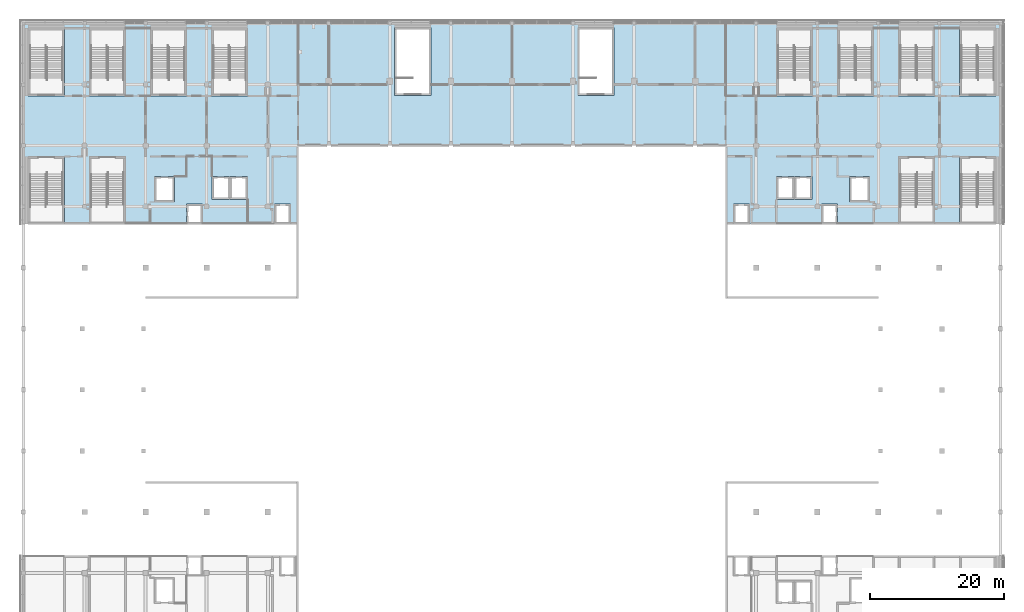
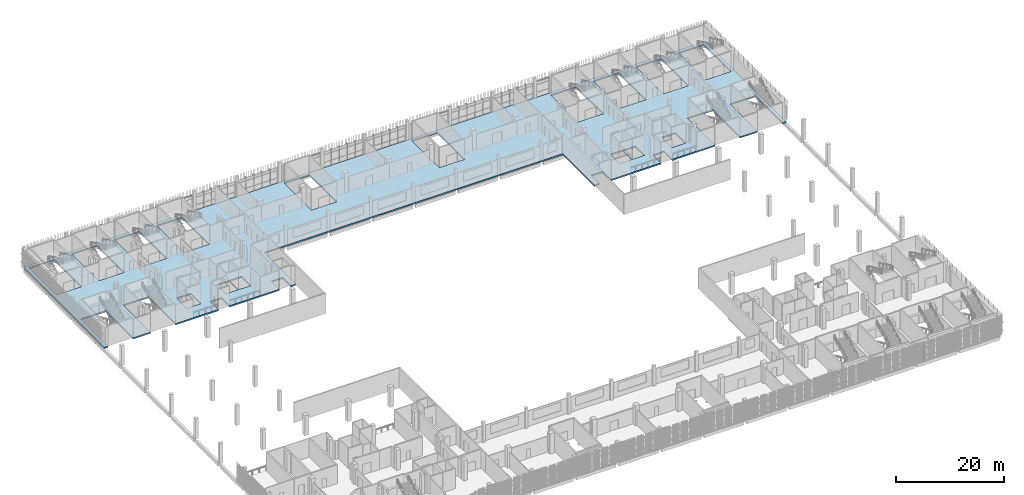
# One storey, part 48 of 104: 1 slab.
"""IFC4 building model written with IfcOpenShell, lengths in metres."""

from ifc_helpers import new_model, si_unit, direction, frame, origin, place, context, subcontext, project, spatial, polyline, outline, extrude, material, layer, layer_set, type_object, element, save


model = new_model("IFC4")

# Units and contexts
model_context = context("Model", 3, precision=1e-05, world=origin(), true_north=direction((0.0, 1.0)))
body_context = subcontext(model_context, "Body", "Model", "MODEL_VIEW")
ifc_project = project(units=[si_unit("LENGTHUNIT", "METRE"), si_unit("AREAUNIT", "SQUARE_METRE"), si_unit("VOLUMEUNIT", "CUBIC_METRE"), si_unit("PLANEANGLEUNIT", "RADIAN"), si_unit("MASSUNIT", "GRAM", prefix="KILO")], contexts=[model_context])

# Site, building, storey
site_placement = place(None, origin())
site = spatial("IfcSite", under=ifc_project, at=site_placement, CompositionType="ELEMENT")
building_placement = place(site_placement, origin())
building = spatial("IfcBuilding", under=site, at=building_placement, Name="Shirokan Park Arena", CompositionType="ELEMENT")
storey_placement = place(building_placement, frame((0.0, 0.0, 10.919921875)))
storey = spatial("IfcBuildingStorey", under=building, at=storey_placement, Name="L02", CompositionType="ELEMENT", Elevation=10.919921875)

# Slab
ifc_material = material(Name="Concrete C35", Category="concrete")
ifc_layer = layer(ifc_material, 0.300048828125)
ifc_layer_set = layer_set([ifc_layer], Name="Concrete C35 300 mm")
slab_type = type_object("IfcSlabType", Name="RC floor slab 300", PredefinedType="FLOOR", material=ifc_layer_set)
slab_placement = place(storey_placement, frame((0.0, 0.0, -0.2998046875)))
element("IfcSlab", 1, at=slab_placement, inside=storey, type_object=slab_type, Name="Floor slab L02", PredefinedType="FLOOR", context=body_context, shape_type="SweptSolid", body=[
    extrude(outline(polyline([(40.949951171875, 91.0), (40.949951171875, 79.300048828125), (39.800048828125, 79.300048828125), (39.800048828125, 82.300048828125), (37.39990234375, 82.300048828125), (37.39990234375, 79.300048828125), (26.699951171875, 79.300048828125), (26.699951171875, 82.300048828125), (24.300048828125, 82.300048828125), (24.300048828125, 79.300048828125), (15.199951171875, 79.300048828125), (15.199951171875, 89.39990234375), (9.800048828125, 89.39990234375), (9.800048828125, 79.300048828125), (6.10009765625, 79.300048828125), (6.10009765625, 89.39990234375), (0.699951171875, 89.39990234375), (0.699951171875, 79.300048828125), (0.0, 79.300048828125), (0.0, 109.199951171875), (145.60009765625, 109.199951171875), (145.60009765625, 79.300048828125), (144.89990234375, 79.300048828125), (144.89990234375, 89.39990234375), (139.5, 89.39990234375), (139.5, 79.300048828125), (135.800048828125, 79.300048828125), (135.800048828125, 89.39990234375), (130.39990234375, 89.39990234375), (130.39990234375, 79.300048828125), (121.300048828125, 79.300048828125), (121.300048828125, 82.300048828125), (118.89990234375, 82.300048828125), (118.89990234375, 79.300048828125), (108.199951171875, 79.300048828125), (108.199951171875, 82.300048828125), (105.800048828125, 82.300048828125), (105.800048828125, 79.300048828125), (104.64990234375, 79.300048828125), (104.64990234375, 91.0), (40.949951171875, 91.0)]), holes=[polyline([(19.5, 82.60009765625), (22.5, 82.60009765625), (22.5, 86.39990234375), (19.5, 86.39990234375), (19.5, 82.60009765625)]), polyline([(28.10009765625, 83.0), (30.699951171875, 83.0), (30.699951171875, 86.39990234375), (28.10009765625, 86.39990234375), (28.10009765625, 83.0)]), polyline([(6.10009765625, 98.39990234375), (6.10009765625, 108.5), (0.699951171875, 108.5), (0.699951171875, 98.39990234375), (6.10009765625, 98.39990234375)]), polyline([(15.199951171875, 98.39990234375), (15.199951171875, 108.5), (9.800048828125, 108.5), (9.800048828125, 98.39990234375), (15.199951171875, 98.39990234375)]), polyline([(24.300048828125, 98.39990234375), (24.300048828125, 108.5), (18.89990234375, 108.5), (18.89990234375, 98.39990234375), (24.300048828125, 98.39990234375)]), polyline([(28.0, 98.39990234375), (33.39990234375, 98.39990234375), (33.39990234375, 108.5), (28.0, 108.5), (28.0, 98.39990234375)]), polyline([(30.800048828125, 83.0), (33.39990234375, 83.0), (33.39990234375, 86.39990234375), (30.800048828125, 86.39990234375), (30.800048828125, 83.0)]), polyline([(112.199951171875, 83.0), (114.800048828125, 83.0), (114.800048828125, 86.39990234375), (112.199951171875, 86.39990234375), (112.199951171875, 83.0)]), polyline([(117.60009765625, 98.39990234375), (117.60009765625, 108.5), (112.199951171875, 108.5), (112.199951171875, 98.39990234375), (117.60009765625, 98.39990234375)]), polyline([(55.300048828125, 98.5), (60.699951171875, 98.5), (60.699951171875, 108.60009765625), (55.300048828125, 108.60009765625), (55.300048828125, 98.5)]), polyline([(82.60009765625, 98.5), (88.0, 98.5), (88.0, 108.60009765625), (82.60009765625, 108.60009765625), (82.60009765625, 98.5)]), polyline([(123.10009765625, 82.60009765625), (126.10009765625, 82.60009765625), (126.10009765625, 86.39990234375), (123.10009765625, 86.39990234375), (123.10009765625, 82.60009765625)]), polyline([(114.89990234375, 83.0), (117.5, 83.0), (117.5, 86.39990234375), (114.89990234375, 86.39990234375), (114.89990234375, 83.0)]), polyline([(126.699951171875, 98.39990234375), (126.699951171875, 108.5), (121.300048828125, 108.5), (121.300048828125, 98.39990234375), (126.699951171875, 98.39990234375)]), polyline([(130.39990234375, 98.39990234375), (135.800048828125, 98.39990234375), (135.800048828125, 108.5), (130.39990234375, 108.5), (130.39990234375, 98.39990234375)]), polyline([(139.5, 98.39990234375), (144.89990234375, 98.39990234375), (144.89990234375, 108.5), (139.5, 108.5), (139.5, 98.39990234375)])]), origin(), (0.0, 0.0, 1.0), 0.2998046875),
])

save(model, "model.ifc")
